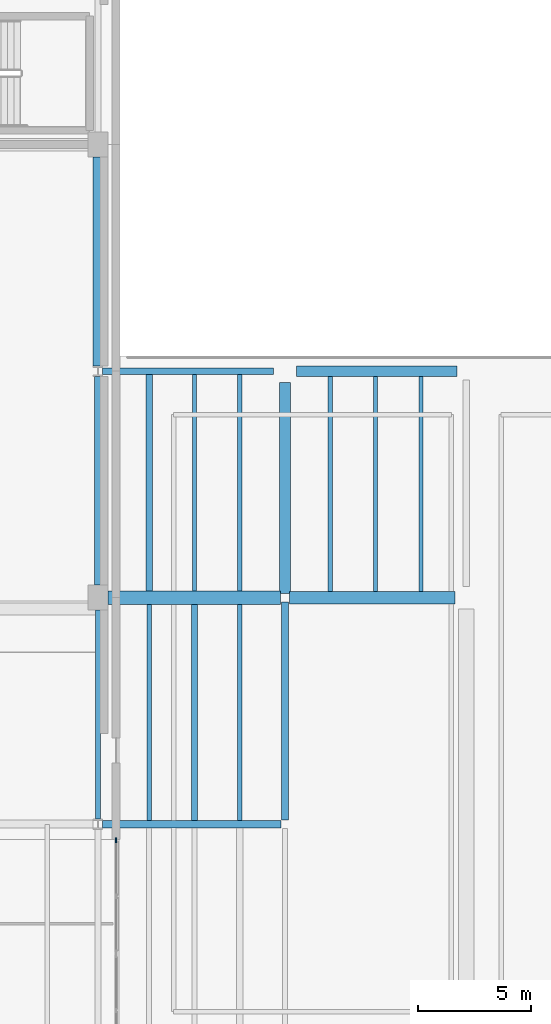
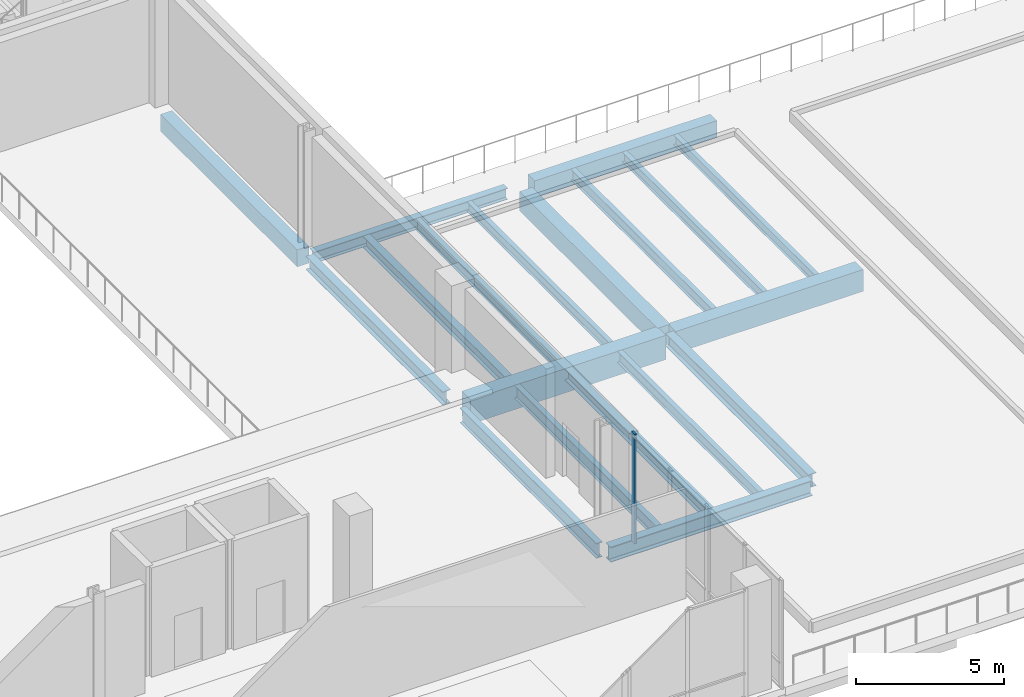
# One storey, part 21 of 41: 19 beams, 1 member, 1 element without a shape of its own.
"""IFC4 building model written with IfcOpenShell, lengths in metres."""

from ifc_helpers import new_model, si_unit, direction, frame, origin, origin_2d, place, context, subcontext, project, spatial, rectangle, i_section, extrude, material, material_profile, profile_set, type_object, element, aggregate, save


model = new_model("IFC4")

# Units and contexts
model_context = context("Model", 3, precision=1e-05, world=origin(), true_north=direction((0.0, 1.0)))
body_context = subcontext(model_context, "Body", "Model", "MODEL_VIEW")
ifc_project = project(units=[si_unit("LENGTHUNIT", "METRE"), si_unit("AREAUNIT", "SQUARE_METRE"), si_unit("VOLUMEUNIT", "CUBIC_METRE"), si_unit("PLANEANGLEUNIT", "RADIAN"), si_unit("MASSUNIT", "GRAM", prefix="KILO")], contexts=[model_context])

# Site, building, storey
site_placement = place(None, origin())
site = spatial("IfcSite", under=ifc_project, at=site_placement, CompositionType="ELEMENT")
building_placement = place(site_placement, origin())
building = spatial("IfcBuilding", under=site, at=building_placement, Name="Trimount Lyric Opera House", CompositionType="ELEMENT")
storey_placement = place(building_placement, frame((0.0, 0.0, 20.0)))
storey = spatial("IfcBuildingStorey", under=building, at=storey_placement, Name="L04", CompositionType="ELEMENT", Elevation=20.0)

# Beams
ifc_material_1 = material(Name="Steel ASTM A992 Grade 50", Category="steel")
ifc_material_profile_1 = material_profile(ifc_material_1, i_section(OverallWidth=0.327880859375, OverallDepth=0.626953125, WebThickness=0.0166015625, FlangeThickness=0.027587890625, FilletRadius=0.01611328125, at=origin_2d()), Name="W24X146")
ifc_profile_set_1 = profile_set([ifc_material_profile_1], Name="Steel ASTM A992 Grade 50")
beam_type_1 = type_object("IfcBeamType", Name="B-10", PredefinedType="BEAM", material=ifc_profile_set_1)
beam_1_placement = place(storey_placement, frame((113.950927734375, 54.0, -0.66357421875), z_axis=(1.0, 0.0, 0.0), x_axis=(0.0, 1.0, 0.0)))
element("IfcBeam", 1, at=beam_1_placement, inside=storey, type_object=beam_type_1, Name="L04 girder X-1147", PredefinedType="BEAM", context=body_context, shape_type="SweptSolid", body=[
    extrude(i_section(OverallWidth=0.327880859375, OverallDepth=0.626953125, WebThickness=0.0166015625, FlangeThickness=0.027587890625, FilletRadius=0.01611328125, at=origin_2d()), origin(), (0.0, 0.0, 1.0), 7.862548828125),
])
ifc_material_2 = material(Name="Steel ASTM A992 Grade 50", Category="steel")
ifc_material_profile_2 = material_profile(ifc_material_2, i_section(OverallWidth=0.22998046875, OverallDepth=0.616943359375, WebThickness=0.01318359375, FlangeThickness=0.022216796875, FilletRadius=0.013916015625, at=origin_2d()), Name="W24X94")
ifc_profile_set_2 = profile_set([ifc_material_profile_2], Name="Steel ASTM A992 Grade 50")
beam_type_2 = type_object("IfcBeamType", Name="B-11", PredefinedType="BEAM", material=ifc_profile_set_2)
beam_2_placement = place(storey_placement, frame((113.739990234375, 54.232421875, -0.633544921875), z_axis=(0.0, 1.0, 0.0), x_axis=(-1.0, 0.0, 0.0)))
element("IfcBeam", 2, at=beam_2_placement, inside=storey, type_object=beam_type_2, Name="L04 girder Y-1230", PredefinedType="BEAM", context=body_context, shape_type="SweptSolid", body=[
    extrude(i_section(OverallWidth=0.22998046875, OverallDepth=0.616943359375, WebThickness=0.01318359375, FlangeThickness=0.022216796875, FilletRadius=0.013916015625, at=origin_2d()), origin(), (0.0, 0.0, 1.0), 9.217529296875),
])
ifc_material_3 = material(Name="Steel ASTM A992 Grade 50", Category="steel")
ifc_material_profile_3 = material_profile(ifc_material_3, i_section(OverallWidth=0.31201171875, OverallDepth=0.5458984375, WebThickness=0.013916015625, FlangeThickness=0.022216796875, FilletRadius=0.014892578125, at=origin_2d()), Name="W21X111")
ifc_profile_set_3 = profile_set([ifc_material_profile_3], Name="Steel ASTM A992 Grade 50")
beam_type_3 = type_object("IfcBeamType", Name="B-12", PredefinedType="BEAM", material=ifc_profile_set_3)
beam_3_placement = place(storey_placement, frame((113.739990234375, 64.550048828125, -0.597900390625), z_axis=(0.0, 1.0, 0.0), x_axis=(-1.0, 0.0, 0.0)))
element("IfcBeam", 3, at=beam_3_placement, inside=storey, type_object=beam_type_3, Name="L04 girder Y-1231", PredefinedType="BEAM", context=body_context, shape_type="SweptSolid", body=[
    extrude(i_section(OverallWidth=0.31201171875, OverallDepth=0.5458984375, WebThickness=0.013916015625, FlangeThickness=0.022216796875, FilletRadius=0.014892578125, at=origin_2d()), origin(), (0.0, 0.0, 1.0), 9.217529296875),
])
beam_4_placement = place(storey_placement, frame((122.0, 54.18408203125, -0.623046875), z_axis=(0.0, 1.0, 0.0), x_axis=(-1.0, 0.0, 0.0)))
element("IfcBeam", 4, at=beam_4_placement, inside=storey, type_object=beam_type_3, Name="L04 girder Y-1237", PredefinedType="BEAM", context=body_context, shape_type="SweptSolid", body=[
    extrude(i_section(OverallWidth=0.31201171875, OverallDepth=0.5458984375, WebThickness=0.013916015625, FlangeThickness=0.022216796875, FilletRadius=0.014892578125, at=origin_2d()), origin(), (0.0, 0.0, 1.0), 9.622802734375),
])
ifc_material_4 = material(Name="Concrete C40/50", Category="concrete")
ifc_material_profile_4 = material_profile(ifc_material_4, rectangle(XDim=0.60009765625, YDim=1.0, at=origin_2d()), Name="RC600X1000")
ifc_profile_set_4 = profile_set([ifc_material_profile_4], Name="Concrete C40/50")
beam_type_4 = type_object("IfcBeamType", Name="B-13", PredefinedType="BEAM", material=ifc_profile_set_4)
beam_5_placement = place(storey_placement, frame((114.18994140625, 64.0, -0.85009765625), z_axis=(1.0, 0.0, 0.0), x_axis=(0.0, 1.0, 0.0)))
element("IfcBeam", 5, at=beam_5_placement, inside=storey, type_object=beam_type_4, Name="L04 girder X-1155", PredefinedType="BEAM", context=body_context, shape_type="SweptSolid", body=[
    extrude(rectangle(XDim=0.60009765625, YDim=1.0, at=origin_2d()), origin(), (0.0, 0.0, 1.0), 7.610595703125),
])
ifc_material_5 = material(Name="Concrete C40/50", Category="concrete")
ifc_material_profile_5 = material_profile(ifc_material_5, rectangle(XDim=0.550048828125, YDim=0.89990234375, at=origin_2d()), Name="RC550X900")
ifc_profile_set_5 = profile_set([ifc_material_profile_5], Name="Concrete C40/50")
beam_type_5 = type_object("IfcBeamType", Name="B-14", PredefinedType="BEAM", material=ifc_profile_set_5)
beam_6_placement = place(storey_placement, frame((122.199462890625, 64.0, -0.800048828125), z_axis=(1.0, 0.0, 0.0), x_axis=(0.0, 1.0, 0.0)))
element("IfcBeam", 6, at=beam_6_placement, inside=storey, type_object=beam_type_5, Name="L04 girder X-1156", PredefinedType="BEAM", context=body_context, shape_type="SweptSolid", body=[
    extrude(rectangle(XDim=0.550048828125, YDim=0.89990234375, at=origin_2d()), origin(), (0.0, 0.0, 1.0), 7.300537109375),
])
ifc_material_6 = material(Name="Concrete C40/50", Category="concrete")
ifc_material_profile_6 = material_profile(ifc_material_6, rectangle(XDim=0.5, YDim=0.800048828125, at=origin_2d()), Name="RC500X800")
ifc_profile_set_6 = profile_set([ifc_material_profile_6], Name="Concrete C40/50")
beam_type_6 = type_object("IfcBeamType", Name="B-15", PredefinedType="BEAM", material=ifc_profile_set_6)
beam_7_placement = place(storey_placement, frame((122.0, 64.193115234375, -0.75), z_axis=(0.0, 1.0, 0.0), x_axis=(-1.0, 0.0, 0.0)))
element("IfcBeam", 7, at=beam_7_placement, inside=storey, type_object=beam_type_6, Name="L04 girder Y-1238", PredefinedType="BEAM", context=body_context, shape_type="SweptSolid", body=[
    extrude(rectangle(XDim=0.5, YDim=0.800048828125, at=origin_2d()), origin(), (0.0, 0.0, 1.0), 9.306884765625),
])
ifc_material_7 = material(Name="Steel ASTM A992 Grade 50", Category="steel")
ifc_material_profile_7 = material_profile(ifc_material_7, i_section(OverallWidth=0.2099609375, OverallDepth=0.532958984375, WebThickness=0.01025390625, FlangeThickness=0.015625, FilletRadius=0.012939453125, at=origin_2d()), Name="W21X62")
ifc_profile_set_7 = profile_set([ifc_material_profile_7], Name="Steel ASTM A992 Grade 50")
beam_type_7 = type_object("IfcBeamType", Name="J-02", PredefinedType="BEAM", material=ifc_profile_set_7)
beam_8_placement = place(storey_placement, frame((116.0, 54.159912109375, -0.616455078125), z_axis=(0.0, 1.0, 0.0), x_axis=(-1.0, 0.0, 0.0)))
element("IfcBeam", 8, at=beam_8_placement, inside=storey, type_object=beam_type_7, Name="L04 composite floor joist 1216", PredefinedType="BEAM", context=body_context, shape_type="SweptSolid", body=[
    extrude(i_section(OverallWidth=0.2099609375, OverallDepth=0.532958984375, WebThickness=0.01025390625, FlangeThickness=0.015625, FilletRadius=0.012939453125, at=origin_2d()), origin(), (0.0, 0.0, 1.0), 9.544189453125),
])
ifc_material_8 = material(Name="Steel ASTM A992 Grade 50", Category="steel")
ifc_material_profile_8 = material_profile(ifc_material_8, i_section(OverallWidth=0.281982421875, OverallDepth=0.467041015625, WebThickness=0.01220703125, FlangeThickness=0.01953125, FilletRadius=0.012939453125, at=origin_2d()), Name="W18X86")
ifc_profile_set_8 = profile_set([ifc_material_profile_8], Name="Steel ASTM A992 Grade 50")
beam_type_8 = type_object("IfcBeamType", Name="J-03", PredefinedType="BEAM", material=ifc_profile_set_8)
beam_9_placement = place(storey_placement, frame((118.0, 54.159912109375, -0.58349609375), z_axis=(0.0, 1.0, 0.0), x_axis=(-1.0, 0.0, 0.0)))
element("IfcBeam", 9, at=beam_9_placement, inside=storey, type_object=beam_type_8, Name="L04 composite floor joist 1217", PredefinedType="BEAM", context=body_context, shape_type="SweptSolid", body=[
    extrude(i_section(OverallWidth=0.281982421875, OverallDepth=0.467041015625, WebThickness=0.01220703125, FlangeThickness=0.01953125, FilletRadius=0.012939453125, at=origin_2d()), origin(), (0.0, 0.0, 1.0), 9.544189453125),
])
beam_10_placement = place(storey_placement, frame((116.0, 64.2958984375, -0.58349609375), z_axis=(0.0, 1.0, 0.0), x_axis=(-1.0, 0.0, 0.0)))
element("IfcBeam", 10, at=beam_10_placement, inside=storey, type_object=beam_type_8, Name="L04 composite floor joist 1219", PredefinedType="BEAM", context=body_context, shape_type="SweptSolid", body=[
    extrude(i_section(OverallWidth=0.281982421875, OverallDepth=0.467041015625, WebThickness=0.01220703125, FlangeThickness=0.01953125, FilletRadius=0.012939453125, at=origin_2d()), origin(), (0.0, 0.0, 1.0), 9.567138671875),
])
ifc_material_9 = material(Name="Steel ASTM A992 Grade 50", Category="steel")
ifc_material_profile_9 = material_profile(ifc_material_9, i_section(OverallWidth=0.19091796875, OverallDepth=0.45703125, WebThickness=0.009033203125, FlangeThickness=0.014404296875, FilletRadius=0.010986328125, at=origin_2d()), Name="W18X50")
ifc_profile_set_9 = profile_set([ifc_material_profile_9], Name="Steel ASTM A992 Grade 50")
beam_type_9 = type_object("IfcBeamType", Name="J-04", PredefinedType="BEAM", material=ifc_profile_set_9)
beam_11_placement = place(storey_placement, frame((120.0, 54.159912109375, -0.57861328125), z_axis=(0.0, 1.0, 0.0), x_axis=(-1.0, 0.0, 0.0)))
element("IfcBeam", 11, at=beam_11_placement, inside=storey, type_object=beam_type_9, Name="L04 composite floor joist 1218", PredefinedType="BEAM", context=body_context, shape_type="SweptSolid", body=[
    extrude(i_section(OverallWidth=0.19091796875, OverallDepth=0.45703125, WebThickness=0.009033203125, FlangeThickness=0.014404296875, FilletRadius=0.010986328125, at=origin_2d()), origin(), (0.0, 0.0, 1.0), 9.544189453125),
])
beam_12_placement = place(storey_placement, frame((118.0, 64.2958984375, -0.57861328125), z_axis=(0.0, 1.0, 0.0), x_axis=(-1.0, 0.0, 0.0)))
element("IfcBeam", 12, at=beam_12_placement, inside=storey, type_object=beam_type_9, Name="L04 composite floor joist 1220", PredefinedType="BEAM", context=body_context, shape_type="SweptSolid", body=[
    extrude(i_section(OverallWidth=0.19091796875, OverallDepth=0.45703125, WebThickness=0.009033203125, FlangeThickness=0.014404296875, FilletRadius=0.010986328125, at=origin_2d()), origin(), (0.0, 0.0, 1.0), 9.567138671875),
])
beam_13_placement = place(storey_placement, frame((124.0, 64.27099609375, -0.57861328125), z_axis=(0.0, 1.0, 0.0), x_axis=(-1.0, 0.0, 0.0)))
element("IfcBeam", 13, at=beam_13_placement, inside=storey, type_object=beam_type_9, Name="L04 composite floor joist 1222", PredefinedType="BEAM", context=body_context, shape_type="SweptSolid", body=[
    extrude(i_section(OverallWidth=0.19091796875, OverallDepth=0.45703125, WebThickness=0.009033203125, FlangeThickness=0.014404296875, FilletRadius=0.010986328125, at=origin_2d()), origin(), (0.0, 0.0, 1.0), 9.508056640625),
])
ifc_material_10 = material(Name="Steel ASTM A992 Grade 50", Category="steel")
ifc_material_profile_10 = material_profile(ifc_material_10, i_section(OverallWidth=0.180908203125, OverallDepth=0.4169921875, WebThickness=0.010986328125, FlangeThickness=0.018310546875, FilletRadius=0.010986328125, at=origin_2d()), Name="W16X57")
ifc_profile_set_10 = profile_set([ifc_material_profile_10], Name="Steel ASTM A992 Grade 50")
beam_type_10 = type_object("IfcBeamType", Name="J-05", PredefinedType="BEAM", material=ifc_profile_set_10)
beam_14_placement = place(storey_placement, frame((120.0, 64.2958984375, -0.55859375), z_axis=(0.0, 1.0, 0.0), x_axis=(-1.0, 0.0, 0.0)))
element("IfcBeam", 14, at=beam_14_placement, inside=storey, type_object=beam_type_10, Name="L04 composite floor joist 1221", PredefinedType="BEAM", context=body_context, shape_type="SweptSolid", body=[
    extrude(i_section(OverallWidth=0.180908203125, OverallDepth=0.4169921875, WebThickness=0.010986328125, FlangeThickness=0.018310546875, FilletRadius=0.010986328125, at=origin_2d()), origin(), (0.0, 0.0, 1.0), 9.567138671875),
])
beam_15_placement = place(storey_placement, frame((126.0, 64.27099609375, -0.55859375), z_axis=(0.0, 1.0, 0.0), x_axis=(-1.0, 0.0, 0.0)))
element("IfcBeam", 15, at=beam_15_placement, inside=storey, type_object=beam_type_10, Name="L04 composite floor joist 1223", PredefinedType="BEAM", context=body_context, shape_type="SweptSolid", body=[
    extrude(i_section(OverallWidth=0.180908203125, OverallDepth=0.4169921875, WebThickness=0.010986328125, FlangeThickness=0.018310546875, FilletRadius=0.010986328125, at=origin_2d()), origin(), (0.0, 0.0, 1.0), 9.508056640625),
])
ifc_material_11 = material(Name="Steel ASTM A992 Grade 50", Category="steel")
ifc_material_profile_11 = material_profile(ifc_material_11, i_section(OverallWidth=0.177978515625, OverallDepth=0.404052734375, WebThickness=0.007568359375, FlangeThickness=0.010986328125, FilletRadius=0.010009765625, at=origin_2d()), Name="W16X36")
ifc_profile_set_11 = profile_set([ifc_material_profile_11], Name="Steel ASTM A992 Grade 50")
beam_type_11 = type_object("IfcBeamType", Name="J-06", PredefinedType="BEAM", material=ifc_profile_set_11)
beam_16_placement = place(storey_placement, frame((128.0, 64.27099609375, -0.552001953125), z_axis=(0.0, 1.0, 0.0), x_axis=(-1.0, 0.0, 0.0)))
element("IfcBeam", 16, at=beam_16_placement, inside=storey, type_object=beam_type_11, Name="L04 composite floor joist 1224", PredefinedType="BEAM", context=body_context, shape_type="SweptSolid", body=[
    extrude(i_section(OverallWidth=0.177978515625, OverallDepth=0.404052734375, WebThickness=0.007568359375, FlangeThickness=0.010986328125, FilletRadius=0.010009765625, at=origin_2d()), origin(), (0.0, 0.0, 1.0), 9.508056640625),
])

# Curtain wall, member
ifc_material_12 = material(Name="Thermally Broken Aluminium and Low-E Glass", Category="aluminium")
curtain_wall_type = type_object("IfcCurtainWallType", Name="CW-05", PredefinedType="NOTDEFINED", material=ifc_material_12)
curtain_wall_placement = place(storey_placement, origin())
curtain_wall = element("IfcCurtainWall", 17, at=curtain_wall_placement, inside=storey, type_object=curtain_wall_type, Name="L04 curtain wall 321", PredefinedType="NOTDEFINED")
ifc_material_13 = material(Name="Anodised Aluminium 6063-T6", Category="aluminium")
ifc_material_profile_12 = material_profile(ifc_material_13, rectangle(XDim=0.070068359375, YDim=0.219970703125, at=origin_2d()), Name="ALU-MULL-70X220")
ifc_profile_set_12 = profile_set([ifc_material_profile_12], Name="Anodised Aluminium 6063-T6")
member_type = type_object("IfcMemberType", Name="ML-01", PredefinedType="MULLION", material=ifc_profile_set_12)
member_placement = place(storey_placement, frame((114.5400390625, 53.284912109375, 0.0), z_axis=(0.0, 0.0, 1.0), x_axis=(1.0, 0.0, 0.0)))
member = element("IfcMember", 18, at=member_placement, type_object=member_type, Name="CW-05 mullion 1", PredefinedType="MULLION", context=body_context, shape_type="SweptSolid", body=[
    extrude(rectangle(XDim=0.070068359375, YDim=0.219970703125, at=origin_2d()), origin(), (0.0, 0.0, 1.0), 4.5),
])
aggregate(curtain_wall, [member])

# Beams
ifc_material_14 = material(Name="Steel ASTM A992 Grade 50", Category="steel")
ifc_material_profile_13 = material_profile(ifc_material_14, i_section(OverallWidth=0.281982421875, OverallDepth=0.467041015625, WebThickness=0.01220703125, FlangeThickness=0.01953125, FilletRadius=0.012939453125, at=origin_2d()), Name="W18X86")
ifc_profile_set_13 = profile_set([ifc_material_profile_13], Name="Steel ASTM A992 Grade 50")
beam_type_12 = type_object("IfcBeamType", Name="SP-01", PredefinedType="SPANDREL", material=ifc_profile_set_13)
beam_17_placement = place(storey_placement, frame((113.950927734375, 74.0, -0.58349609375), z_axis=(1.0, 0.0, 0.0), x_axis=(0.0, 1.0, 0.0)))
element("IfcBeam", 19, at=beam_17_placement, inside=storey, type_object=beam_type_12, Name="L04 girder X-1164", PredefinedType="SPANDREL", context=body_context, shape_type="SweptSolid", body=[
    extrude(i_section(OverallWidth=0.281982421875, OverallDepth=0.467041015625, WebThickness=0.01220703125, FlangeThickness=0.01953125, FilletRadius=0.012939453125, at=origin_2d()), origin(), (0.0, 0.0, 1.0), 7.549072265625),
])
ifc_material_15 = material(Name="Concrete C40/50", Category="concrete")
ifc_material_profile_14 = material_profile(ifc_material_15, rectangle(XDim=0.449951171875, YDim=0.699951171875, at=origin_2d()), Name="RC450X700")
ifc_profile_set_14 = profile_set([ifc_material_profile_14], Name="Concrete C40/50")
beam_type_13 = type_object("IfcBeamType", Name="SP-02", PredefinedType="SPANDREL", material=ifc_profile_set_14)
beam_18_placement = place(storey_placement, frame((122.5, 74.0, -0.699951171875), z_axis=(1.0, 0.0, 0.0), x_axis=(0.0, 1.0, 0.0)))
element("IfcBeam", 20, at=beam_18_placement, inside=storey, type_object=beam_type_13, Name="L04 girder X-1165", PredefinedType="SPANDREL", context=body_context, shape_type="SweptSolid", body=[
    extrude(rectangle(XDim=0.449951171875, YDim=0.699951171875, at=origin_2d()), origin(), (0.0, 0.0, 1.0), 7.10009765625),
])
beam_19_placement = place(storey_placement, frame((113.739990234375, 74.232421875, -0.675048828125), z_axis=(0.0, 1.0, 0.0), x_axis=(-1.0, 0.0, 0.0)))
element("IfcBeam", 21, at=beam_19_placement, inside=storey, type_object=beam_type_13, Name="L04 girder Y-1232", PredefinedType="SPANDREL", context=body_context, shape_type="SweptSolid", body=[
    extrude(rectangle(XDim=0.449951171875, YDim=0.699951171875, at=origin_2d()), origin(), (0.0, 0.0, 1.0), 9.217529296875),
])

save(model, "model.ifc")
